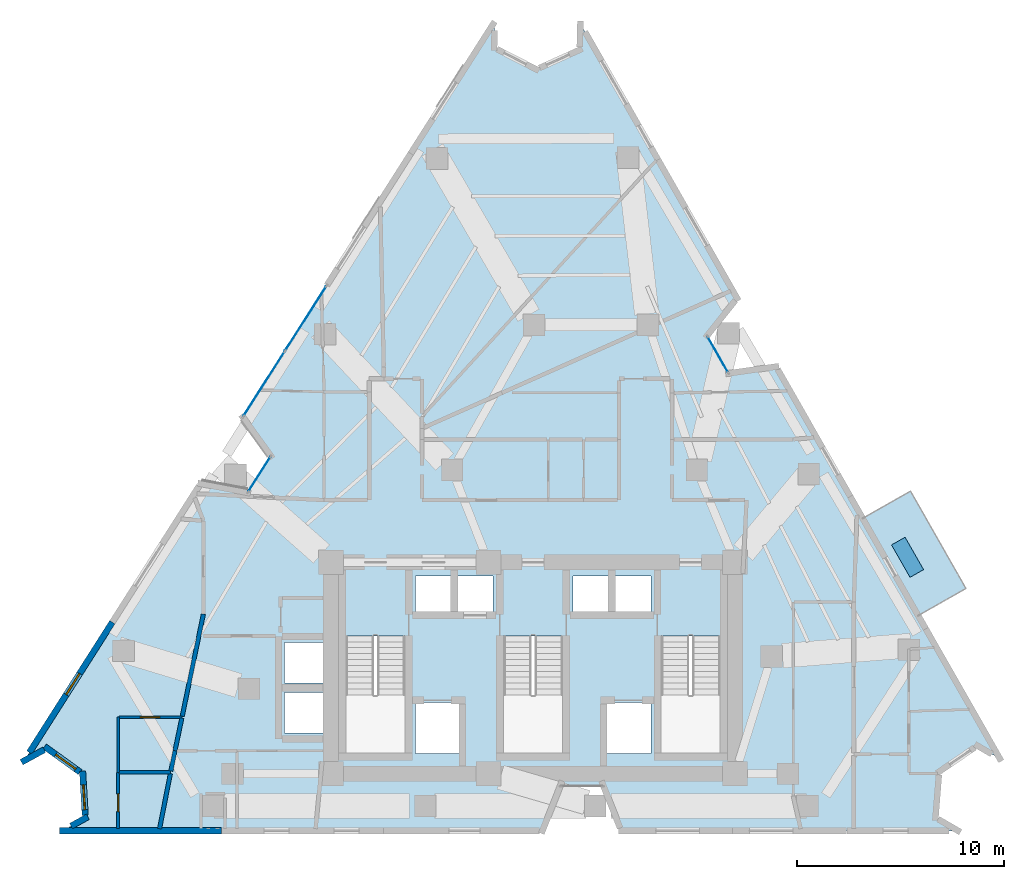
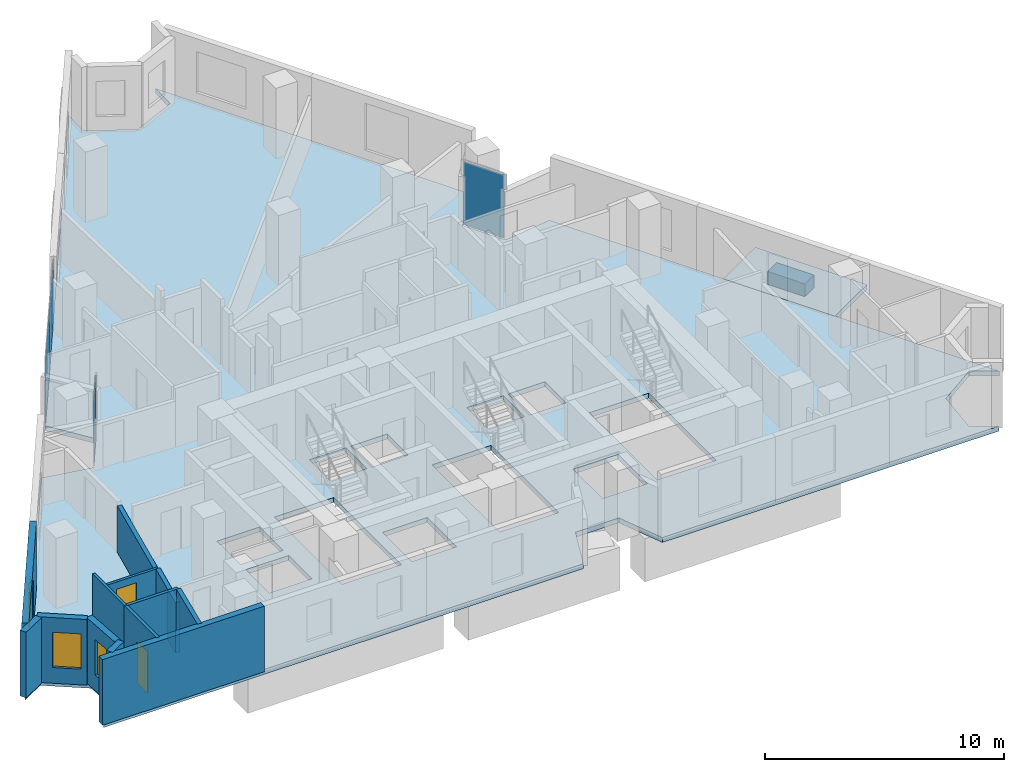
# One storey, part 5 of 12: 14 walls, 5 plates, 3 windows, 2 doors, 2 slabs, 5 openings, 3 elements without a shape of their own.
"""IFC4 building model written with IfcOpenShell, lengths in metres."""

import ifcopenshell
import ifcopenshell.guid

model = None  # the IFC model being written
_history = None  # IfcOwnerHistory: only IFC2X3 demands one
_inside = {}  # id of a spatial element -> (the spatial element, [elements in it])
_under = {}  # id of a project, library or spatial element -> (it, [spatial elements below it])
_declared = {}  # id of a project -> (the project, [libraries it declares])
_typed = {}  # id of a type object -> (the type object, [elements of that type])
_made_of = {}  # id of a material, layer set ... -> (it, [elements and type objects made of it])


def new_model(schema):
    """Start an empty IFC model of exactly this schema.

    Asked for "IFC4X3", IfcOpenShell would pick the latest addendum, in which some entities
    have other attributes; the version numbers below select the first issue.
    IFC2X3 requires an IfcOwnerHistory on every rooted entity: one is made here for all.
    """
    global model, _history
    if schema == "IFC4X3":
        model = ifcopenshell.file(schema_version=(4, 3, 0, 0))
    else:
        model = ifcopenshell.file(schema=schema)
    _inside.clear()
    _under.clear()
    _declared.clear()
    _typed.clear()
    _made_of.clear()
    _history = None
    if model.schema == "IFC2X3":
        org = make("IfcOrganization", Name="unknown")
        user = make(
            "IfcPersonAndOrganization",
            ThePerson=make("IfcPerson", FamilyName="unknown"),
            TheOrganization=org,
        )
        app = make(
            "IfcApplication",
            ApplicationDeveloper=org,
            Version="unknown",
            ApplicationFullName="unknown",
            ApplicationIdentifier="unknown",
        )
        _history = make(
            "IfcOwnerHistory",
            OwningUser=user,
            OwningApplication=app,
            ChangeAction="ADDED",
            CreationDate=0,
        )
    return model


def make(cls, **values):
    """One entity of the class cls with the attributes given. An attribute that is None is left unset."""
    return model.create_entity(
        cls, **{name: value for name, value in values.items() if value is not None}
    )


def rooted(cls, **values):
    """An entity with a GlobalId (a new one), such as an element, a storey or a relation."""
    return make(cls, GlobalId=ifcopenshell.guid.new(), OwnerHistory=_history, **values)


def si_unit(unit_type, name, prefix=None):
    """IfcSIUnit, for example si_unit("LENGTHUNIT", "METRE", prefix="MILLI")."""
    return make("IfcSIUnit", UnitType=unit_type, Prefix=prefix, Name=name)


def assignment(units):
    """IfcUnitAssignment: the units of a project."""
    return None if units is None else make("IfcUnitAssignment", Units=units)


def point(xyz):
    """IfcCartesianPoint."""
    return None if xyz is None else make("IfcCartesianPoint", Coordinates=xyz)


def direction(xyz):
    """IfcDirection."""
    return None if xyz is None else make("IfcDirection", DirectionRatios=xyz)


def frame(location, z_axis=None, x_axis=None):
    """IfcAxis2Placement3D, a coordinate frame: its origin and axes. An axis left out is left unset."""
    return make(
        "IfcAxis2Placement3D",
        Location=point(location),
        Axis=direction(z_axis),
        RefDirection=direction(x_axis),
    )


def frame_2d(location, x_axis=None):
    """IfcAxis2Placement2D, a coordinate frame in the plane: its origin and x axis."""
    return make(
        "IfcAxis2Placement2D", Location=point(location), RefDirection=direction(x_axis)
    )


def origin():
    """The frame at (0, 0, 0) with its axes left unset."""
    return frame((0.0, 0.0, 0.0))


def origin_2d():
    """The frame at (0, 0) in the plane with its x axis left unset."""
    return frame_2d((0.0, 0.0))


def place(relative_to, where):
    """IfcLocalPlacement: puts the frame where relative to a parent placement (None: the world)."""
    return make(
        "IfcLocalPlacement", PlacementRelTo=relative_to, RelativePlacement=where
    )


def context(
    kind, dimensions, precision=None, world=None, true_north=None, identifier=None
):
    """IfcGeometricRepresentationContext, for example the 3D "Model" context."""
    return make(
        "IfcGeometricRepresentationContext",
        ContextIdentifier=identifier,
        ContextType=kind,
        CoordinateSpaceDimension=dimensions,
        Precision=precision,
        WorldCoordinateSystem=world,
        TrueNorth=true_north,
    )


def subcontext(parent, identifier, kind, view, scale=None):
    """IfcGeometricRepresentationSubContext, for example "Body" below "Model"."""
    return make(
        "IfcGeometricRepresentationSubContext",
        ContextIdentifier=identifier,
        ContextType=kind,
        ParentContext=parent,
        TargetScale=scale,
        TargetView=view,
    )


def project(units=None, contexts=None):
    """IfcProject with its units and contexts."""
    return rooted(
        "IfcProject",
        Name="project",
        RepresentationContexts=contexts,
        UnitsInContext=assignment(units),
    )


def spatial(cls, under=None, at=None, **own):
    """A site, building, storey or space (cls), placed at a placement, below another one or the project."""
    s = rooted(cls, ObjectPlacement=at, **own)
    if under is not None:
        _under.setdefault(under.id(), (under, []))[1].append(s)
    return s


def polyline(points):
    """IfcPolyline through the points."""
    return make("IfcPolyline", Points=[point(p) for p in points])


def profile(cls, at=None, kind="AREA", **sizes):
    """A parametric profile (cls). Its sizes go by their IFC names, for example OverallWidth=200.0."""
    return make(cls, ProfileType=kind, Position=at, **sizes)


def rectangle(**sizes):
    """IfcRectangleProfileDef."""
    return profile("IfcRectangleProfileDef", **sizes)


def outline(outer, holes=None, kind="AREA"):
    """IfcArbitraryClosedProfileDef: a profile drawn as a closed curve; with holes, ...WithVoids."""
    if holes is None:
        return make("IfcArbitraryClosedProfileDef", ProfileType=kind, OuterCurve=outer)
    return make(
        "IfcArbitraryProfileDefWithVoids",
        ProfileType=kind,
        OuterCurve=outer,
        InnerCurves=holes,
    )


def extrude(swept, where, along, depth):
    """IfcExtrudedAreaSolid: the profile swept, set in the frame where, extruded along a direction by depth."""
    return make(
        "IfcExtrudedAreaSolid",
        SweptArea=swept,
        Position=where,
        ExtrudedDirection=direction(along),
        Depth=depth,
    )


def shape(context_of_items, identifier, shape_type, items):
    """IfcShapeRepresentation: the items that make up one representation, for example the "Body"."""
    return make(
        "IfcShapeRepresentation",
        ContextOfItems=context_of_items,
        RepresentationIdentifier=identifier,
        RepresentationType=shape_type,
        Items=items,
    )


def material(Name=None, Category=None):
    """IfcMaterial."""
    return make("IfcMaterial", Name=Name, Category=Category)


def layer(
    of_material, thickness, ventilated=None, Name=None, Category=None, Priority=None
):
    """IfcMaterialLayer: one layer of a wall or slab, of a material (None: an air gap)."""
    return make(
        "IfcMaterialLayer",
        Material=of_material,
        LayerThickness=thickness,
        IsVentilated=ventilated,
        Name=Name,
        Category=Category,
        Priority=Priority,
    )


def layer_set(layers, Name=None):
    """IfcMaterialLayerSet."""
    return make("IfcMaterialLayerSet", MaterialLayers=layers, LayerSetName=Name)


def made_of(thing, what):
    """Note that an element or type object is made of a material, layer set ...; save() writes the relation."""
    if what is not None:
        _made_of.setdefault(what.id(), (what, []))[1].append(thing)
    return thing


def type_object(cls, material=None, **own):
    """A type object (cls), such as IfcWallType, which elements share."""
    return made_of(rooted(cls, **own), material)


def element(
    cls,
    number,
    at=None,
    inside=None,
    cuts=None,
    type_object=None,
    material=None,
    context=None,
    identifier="Body",
    shape_type=None,
    held_by="IfcProductDefinitionShape",
    body=None,
    shapes=None,
    **own,
):
    """One element of the class cls, such as IfcWall. Its Tag is "e" and its number.

    at: its placement. inside: the storey or other place that contains it. cuts: it is an
    opening in that element (IfcRelVoidsElement). A single representation is given by context,
    identifier, shape_type and body (its items); several are given by shapes. held_by: the class
    of the entity that holds the representations. save() writes the other relations.
    """
    e = rooted(cls, Tag="e%d" % number, ObjectPlacement=at, **own)
    if body is not None:
        shapes = [shape(context, identifier, shape_type, body)]
    if shapes is not None:
        e.Representation = make(held_by, Representations=shapes)
    if inside is not None:
        _inside.setdefault(inside.id(), (inside, []))[1].append(e)
    if cuts is not None:
        rooted(
            "IfcRelVoidsElement", RelatingBuildingElement=cuts, RelatedOpeningElement=e
        )
    if type_object is not None:
        _typed.setdefault(type_object.id(), (type_object, []))[1].append(e)
    return made_of(e, material)


def fill(opening, filler):
    """IfcRelFillsElement: the door or window that sits in an opening."""
    return rooted(
        "IfcRelFillsElement",
        RelatingOpeningElement=opening,
        RelatedBuildingElement=filler,
    )


def aggregate(whole, parts):
    """IfcRelAggregates: a whole, such as a stair, and the parts it consists of."""
    return rooted("IfcRelAggregates", RelatingObject=whole, RelatedObjects=parts)


def save(model, path):
    """Write the relations noted so far, then the file.

    IfcRelAggregates (storeys below a building ...), IfcRelContainedInSpatialStructure (elements
    in a storey), IfcRelDefinesByType, IfcRelAssociatesMaterial and IfcRelDeclares: one each for
    every whole, place, type object, material and project.
    """
    for whole, parts in _under.values():
        aggregate(whole, parts)
    for where, things in _inside.values():
        rooted(
            "IfcRelContainedInSpatialStructure",
            RelatedElements=things,
            RelatingStructure=where,
        )
    for kind, things in _typed.values():
        rooted("IfcRelDefinesByType", RelatedObjects=things, RelatingType=kind)
    for what, things in _made_of.values():
        rooted("IfcRelAssociatesMaterial", RelatedObjects=things, RelatingMaterial=what)
    for by, libraries in _declared.values():
        rooted("IfcRelDeclares", RelatingContext=by, RelatedDefinitions=libraries)
    model.write(path)


model = new_model("IFC4")

# Units and contexts
model_context = context("Model", 3, precision=1e-05, world=origin(), true_north=direction((0.0, 1.0)))
body_context = subcontext(model_context, "Body", "Model", "MODEL_VIEW")
ifc_project = project(units=[si_unit("LENGTHUNIT", "METRE"), si_unit("AREAUNIT", "SQUARE_METRE"), si_unit("VOLUMEUNIT", "CUBIC_METRE"), si_unit("PLANEANGLEUNIT", "RADIAN"), si_unit("MASSUNIT", "GRAM", prefix="KILO")], contexts=[model_context])

# Site, building, storey
site_placement = place(None, origin())
site = spatial("IfcSite", under=ifc_project, at=site_placement, CompositionType="ELEMENT")
building_placement = place(site_placement, origin())
building = spatial("IfcBuilding", under=site, at=building_placement, Name="Almagre Mirador Tower", CompositionType="ELEMENT")
storey_placement = place(building_placement, frame((0.0, 0.0, 132.0)))
storey = spatial("IfcBuildingStorey", under=building, at=storey_placement, Name="L33", CompositionType="ELEMENT", Elevation=132.0)

# Curtain wall, plate
ifc_material_1 = material(Name="Black anodized aluminium", Category="aluminium")
ifc_layer_1 = layer(ifc_material_1, 0.169921875)
ifc_layer_set_1 = layer_set([ifc_layer_1], Name="Black anodized aluminium")
curtain_wall_type_1 = type_object("IfcCurtainWallType", Name="CW-CRS-SYS", PredefinedType="NOTDEFINED", material=ifc_layer_set_1)
curtain_wall_1_placement = place(storey_placement, origin())
curtain_wall_1 = element("IfcCurtainWall", 1, at=curtain_wall_1_placement, inside=storey, type_object=curtain_wall_type_1, Name="L33 vertical crease curtain wall 01", PredefinedType="NOTDEFINED")
ifc_material_2 = material(Name="Dark solar-control laminated hurricane glass", Category="glass")
ifc_layer_2 = layer(ifc_material_2, 0.028076171875)
ifc_layer_set_2 = layer_set([ifc_layer_2], Name="Dark solar-control laminated hurricane glass")
plate_type_1 = type_object("IfcPlateType", Name="PLT-GLZ-28", PredefinedType="CURTAIN_PANEL", material=ifc_layer_set_2)
plate_1_placement = place(storey_placement, frame((24.097412109375, 18.992919921875, 0.06005859375), z_axis=(0.0, 0.0, 1.0), x_axis=(0.537463753664, 0.843286851254, 0.0)))
plate_1 = element("IfcPlate", 2, at=plate_1_placement, type_object=plate_type_1, Name="CW-4 panel 1.1", PredefinedType="CURTAIN_PANEL", context=body_context, shape_type="SweptSolid", body=[
    extrude(rectangle(XDim=1.969482421875, YDim=0.028076171875, at=origin_2d()), origin(), (0.0, 0.0, 1.0), 3.22998046875),
])
aggregate(curtain_wall_1, [plate_1])

curtain_wall_2_placement = place(storey_placement, origin())
curtain_wall_2 = element("IfcCurtainWall", 3, at=curtain_wall_2_placement, inside=storey, type_object=curtain_wall_type_1, Name="L33 vertical crease curtain wall 03", PredefinedType="NOTDEFINED")
plate_2_placement = place(storey_placement, frame((46.214111328125, 24.7705078125, 0.06005859375), z_axis=(0.0, 0.0, 1.0), x_axis=(0.495726635757, -0.868478613785, 0.0)))
plate_2 = element("IfcPlate", 4, at=plate_2_placement, type_object=plate_type_1, Name="CW-4 panel 1.1", PredefinedType="CURTAIN_PANEL", context=body_context, shape_type="SweptSolid", body=[
    extrude(rectangle(XDim=1.969970703125, YDim=0.028076171875, at=origin_2d()), origin(), (0.0, 0.0, 1.0), 3.22998046875),
])
aggregate(curtain_wall_2, [plate_2])

# Curtain wall, plates
ifc_material_3 = material(Name="Black anodized aluminium", Category="aluminium")
ifc_layer_3 = layer(ifc_material_3, 0.199951171875)
ifc_layer_set_3 = layer_set([ifc_layer_3], Name="Black anodized aluminium")
curtain_wall_type_2 = type_object("IfcCurtainWallType", Name="CW-RES-H-SYS", PredefinedType="NOTDEFINED", material=ifc_layer_set_3)
curtain_wall_3_placement = place(storey_placement, origin())
curtain_wall_3 = element("IfcCurtainWall", 5, at=curtain_wall_3_placement, inside=storey, type_object=curtain_wall_type_2, Name="L33 curtain wall run 02", PredefinedType="NOTDEFINED")
ifc_material_4 = material(Name="Dark solar-control laminated hurricane glass", Category="glass")
ifc_layer_4 = layer(ifc_material_4, 0.035888671875)
ifc_layer_set_4 = layer_set([ifc_layer_4], Name="Dark solar-control laminated hurricane glass")
plate_type_2 = type_object("IfcPlateType", Name="PLT-GLZ-36", PredefinedType="CURTAIN_PANEL", material=ifc_layer_set_4)
plate_3_placement = place(storey_placement, frame((24.324951171875, 23.353271484375, 0.06494140625), z_axis=(0.0, 0.0, 1.0), x_axis=(0.537116666719, 0.843507964593, 0.0)))
plate_3 = element("IfcPlate", 6, at=plate_3_placement, type_object=plate_type_2, Name="CW-3 panel 1.1", PredefinedType="CURTAIN_PANEL", context=body_context, shape_type="SweptSolid", body=[
    extrude(rectangle(XDim=3.671630859375, YDim=0.035888671875, at=origin_2d()), origin(), (0.0, 0.0, 1.0), 3.219970703125),
])
plate_4_placement = place(storey_placement, frame((26.33203125, 26.50537109375, 0.06494140625), z_axis=(0.0, 0.0, 1.0), x_axis=(0.537116666719, 0.843507964593, 0.0)))
plate_4 = element("IfcPlate", 7, at=plate_4_placement, type_object=plate_type_2, Name="CW-3 panel 2.1", PredefinedType="CURTAIN_PANEL", context=body_context, shape_type="SweptSolid", body=[
    extrude(rectangle(XDim=3.671630859375, YDim=0.035888671875, at=origin_2d()), origin(), (0.0, 0.0, 1.0), 3.219970703125),
])
aggregate(curtain_wall_3, [plate_3, plate_4])

# Plate
ifc_material_5 = material(Name="Precast concrete C50/60", Category="concrete")
ifc_layer_5 = layer(ifc_material_5, 0.64990234375)
ifc_layer_set_5 = layer_set([ifc_layer_5], Name="Precast concrete C50/60")
plate_type_3 = type_object("IfcPlateType", Name="PLT-PLANTER-1800", PredefinedType="USERDEFINED", material=ifc_layer_set_5)
plate_5_placement = place(storey_placement, frame((55.364990234375, 14.990966796875, 0.0), z_axis=(0.0, 0.0, 1.0), x_axis=(-0.495701216789, 0.86849312241, 0.0)))
element("IfcPlate", 8, at=plate_5_placement, inside=storey, type_object=plate_type_3, Name="L33 east balcony structural tree planter 2", ObjectType="PLANTER", PredefinedType="USERDEFINED", context=body_context, shape_type="SweptSolid", body=[
    extrude(rectangle(XDim=1.800048828125, YDim=0.75, at=origin_2d()), origin(), (0.0, 0.0, 1.0), 0.64990234375),
])

# Slabs
ifc_material_6 = material(Name="Concrete C45/55", Category="concrete")
ifc_layer_6 = layer(ifc_material_6, 0.239990234375)
ifc_layer_set_6 = layer_set([ifc_layer_6], Name="Concrete C45/55")
slab_type_1 = type_object("IfcSlabType", Name="SLB-BAL-240", PredefinedType="USERDEFINED", material=ifc_layer_set_6)
slab_1_placement = place(storey_placement, frame((0.0, 0.0, -0.239990234375)))
element("IfcSlab", 9, at=slab_1_placement, inside=storey, type_object=slab_type_1, Name="L33 east planted tree balcony 2", ObjectType="BALCONY", PredefinedType="USERDEFINED", context=body_context, shape_type="SweptSolid", body=[
    extrude(outline(polyline([(55.861083984375, 12.1650390625), (53.18505859375, 16.85498046875), (55.5029296875, 18.178955078125), (58.179931640625, 13.489013671875), (55.861083984375, 12.1650390625)])), origin(), (0.0, 0.0, 1.0), 0.239990234375),
])
ifc_material_7 = material(Name="Concrete C45/55", Category="concrete")
ifc_layer_7 = layer(ifc_material_7, 0.25)
ifc_layer_set_7 = layer_set([ifc_layer_7], Name="Concrete C45/55")
slab_type_2 = type_object("IfcSlabType", Name="SLB-FLR-250", PredefinedType="FLOOR", material=ifc_layer_set_7)
slab_2_placement = place(storey_placement, frame((0.0, 0.0, -0.25)))
element("IfcSlab", 10, at=slab_2_placement, inside=storey, type_object=slab_type_2, Name="L33 structural floor slab", PredefinedType="FLOOR", context=body_context, shape_type="SweptSolid", body=[
    extrude(outline(polyline([(12.7490234375, 5.174072265625), (13.85302734375, 5.780029296875), (15.580078125, 4.532958984375), (15.705078125, 2.406005859375), (14.60009765625, 1.800048828125), (37.756103515625, 1.800048828125), (38.611083984375, 3.949951171875), (40.700927734375, 3.949951171875), (41.555908203125, 1.800048828125), (57.800048828125, 1.800048828125), (56.7099609375, 2.43310546875), (56.887939453125, 4.652099609375), (58.72802734375, 5.906982421875), (59.81689453125, 5.27392578125), (49.02294921875, 24.18603515625), (46.73193359375, 23.863037109375), (45.696044921875, 25.677978515625), (47.138916015625, 27.486083984375), (39.5830078125, 40.72607421875), (39.552001953125, 39.466064453125), (37.462890625, 38.52197265625), (35.4208984375, 39.56591796875), (35.450927734375, 40.825927734375), (23.303955078125, 21.75), (24.658935546875, 19.8740234375), (23.535888671875, 18.112060546875), (21.262939453125, 18.544921875), (12.7490234375, 5.174072265625)]), holes=[polyline([(43.47509765625, 5.550048828125), (43.47509765625, 11.196044921875), (46.324951171875, 11.196044921875), (46.324951171875, 5.550048828125), (43.47509765625, 5.550048828125)]), polyline([(40.820068359375, 5.52001953125), (40.820068359375, 7.97998046875), (42.97998046875, 7.97998046875), (42.97998046875, 5.52001953125), (40.820068359375, 5.52001953125)]), polyline([(41.219970703125, 12.320068359375), (41.219970703125, 14.080078125), (42.97998046875, 14.080078125), (42.97998046875, 12.320068359375), (41.219970703125, 12.320068359375)]), polyline([(39.219970703125, 12.320068359375), (39.219970703125, 14.080078125), (40.97998046875, 14.080078125), (40.97998046875, 12.320068359375), (39.219970703125, 12.320068359375)]), polyline([(35.875, 11.196044921875), (38.72509765625, 11.196044921875), (38.72509765625, 5.550048828125), (35.875, 5.550048828125), (35.875, 11.196044921875)]), polyline([(35.3798828125, 12.320068359375), (33.6201171875, 12.320068359375), (33.6201171875, 14.080078125), (35.3798828125, 14.080078125), (35.3798828125, 12.320068359375)]), polyline([(33.780029296875, 5.52001953125), (31.6201171875, 5.52001953125), (31.6201171875, 7.97998046875), (33.780029296875, 7.97998046875), (33.780029296875, 5.52001953125)]), polyline([(31.6201171875, 12.320068359375), (31.6201171875, 14.080078125), (33.3798828125, 14.080078125), (33.3798828125, 12.320068359375), (31.6201171875, 12.320068359375)]), polyline([(28.27490234375, 5.550048828125), (28.27490234375, 11.196044921875), (31.125, 11.196044921875), (31.125, 5.550048828125), (28.27490234375, 5.550048828125)]), polyline([(25.320068359375, 8.919921875), (25.320068359375, 10.8798828125), (27.3798828125, 10.8798828125), (27.3798828125, 8.919921875), (25.320068359375, 8.919921875)]), polyline([(27.3798828125, 6.52001953125), (25.320068359375, 6.52001953125), (25.320068359375, 8.47998046875), (27.3798828125, 8.47998046875), (27.3798828125, 6.52001953125)])]), origin(), (0.0, 0.0, 1.0), 0.25),
])

# Walls
ifc_material_8 = material(Name="Precast concrete C50/60", Category="concrete")
ifc_layer_8 = layer(ifc_material_8, 0.300048828125)
ifc_layer_set_8 = layer_set([ifc_layer_8], Name="Precast concrete C50/60")
wall_type_1 = type_object("IfcWallType", Name="WAL-EXT-300", PredefinedType="SOLIDWALL", material=ifc_layer_set_8)
wall_1_placement = place(storey_placement, frame((22.27197265625, 1.800048828125, 0.0), z_axis=(0.0, 0.0, 1.0), x_axis=(-1.0, 0.0, 0.0)))
element("IfcWall", 11, at=wall_1_placement, inside=storey, type_object=wall_type_1, Name="L33 expressed almagre precast frame wall 27", PredefinedType="SOLIDWALL", context=body_context, shape_type="SweptSolid", body=[
    extrude(rectangle(XDim=7.81201171875, YDim=0.300048828125, at=frame_2d((3.906005859375, 0.0))), origin(), (0.0, 0.0, 1.0), 3.35009765625),
])
wall_2_placement = place(storey_placement, frame((15.016357421875, 2.0283203125, 0.0), z_axis=(0.0, 0.0, 1.0), x_axis=(0.876794471231, 0.48086531921, 0.0)))
element("IfcWall", 12, at=wall_2_placement, inside=storey, type_object=wall_type_1, Name="L33 expressed almagre precast frame wall 28", PredefinedType="SOLIDWALL", context=body_context, shape_type="SweptSolid", body=[
    extrude(rectangle(XDim=0.925537109375, YDim=0.300048828125, at=frame_2d((0.462890625, 0.0))), origin(), (0.0, 0.0, 1.0), 3.35009765625),
])

# Wall, opening, window
wall_3_placement = place(storey_placement, frame((15.696533203125, 2.55078125, 0.0), z_axis=(0.0, 0.0, 1.0), x_axis=(-0.058688358982, 0.99827635278, 0.0)))
wall_3 = element("IfcWall", 13, at=wall_3_placement, inside=storey, type_object=wall_type_1, Name="L33 expressed almagre precast frame wall 29", PredefinedType="SOLIDWALL", context=body_context, shape_type="SweptSolid", body=[
    extrude(rectangle(XDim=2.125732421875, YDim=0.300048828125, at=frame_2d((1.06298828125, 0.0))), origin(), (0.0, 0.0, 1.0), 3.35009765625),
])
opening_1_placement = place(wall_3_placement, frame((0.264892578125, 0.0, 0.800048828125)))
opening_1 = element("IfcOpeningElement", 14, at=opening_1_placement, cuts=wall_3, Name="Opening WN-04", PredefinedType="OPENING", context=body_context, shape_type="SweptSolid", body=[
    extrude(rectangle(XDim=1.199951171875, YDim=1.800048828125, at=frame_2d((0.60009765625, 0.89990234375))), frame((0.0, 0.159902, 0.0), z_axis=(0.0, -1.0, 0.0), x_axis=(1.0, 0.0, 0.0)), (0.0, 0.0, 1.0), 0.320049),
])
ifc_material_9 = material(Name="Dark solar-control laminated hurricane glass", Category="glass")
window_type = type_object("IfcWindowType", Name="WIN-1200X1800", PartitioningType="SINGLE_PANEL", PredefinedType="WINDOW", material=ifc_material_9)
window_1_placement = place(opening_1_placement, origin())
window_1 = element("IfcWindow", 15, at=window_1_placement, inside=storey, type_object=window_type, Name="L33 recessed hurricane window L33-UA-ST", OverallHeight=1.800048828125, OverallWidth=1.199951171875, PartitioningType="SINGLE_PANEL", PredefinedType="WINDOW", context=body_context, shape_type="SweptSolid", body=[
    extrude(rectangle(XDim=1.199951171875, YDim=1.800048828125, at=frame_2d((0.60009765625, 0.89990234375))), frame((0.0, 0.030029296875, 0.0), z_axis=(0.0, -1.0, 0.0), x_axis=(1.0, 0.0, 0.0)), (0.0, 0.0, 1.0), 0.06005859375),
])
fill(opening_1, window_1)

wall_4_placement = place(storey_placement, frame((15.4501953125, 4.626708984375, 0.0), z_axis=(0.0, 0.0, 1.0), x_axis=(-0.810712787228, 0.585444084969, 0.0)))
wall_4 = element("IfcWall", 16, at=wall_4_placement, inside=storey, type_object=wall_type_1, Name="L33 expressed almagre precast frame wall 30", PredefinedType="SOLIDWALL", context=body_context, shape_type="SweptSolid", body=[
    extrude(rectangle(XDim=2.110107421875, YDim=0.300048828125, at=frame_2d((1.05517578125, 0.0))), origin(), (0.0, 0.0, 1.0), 3.35009765625),
])
opening_2_placement = place(wall_4_placement, frame((0.25, 0.0, 0.800048828125)))
opening_2 = element("IfcOpeningElement", 17, at=opening_2_placement, cuts=wall_4, Name="Opening WN-04", PredefinedType="OPENING", context=body_context, shape_type="SweptSolid", body=[
    extrude(rectangle(XDim=1.199951171875, YDim=1.800048828125, at=frame_2d((0.60009765625, 0.89990234375))), frame((0.0, 0.159902, 0.0), z_axis=(0.0, -1.0, 0.0), x_axis=(1.0, 0.0, 0.0)), (0.0, 0.0, 1.0), 0.320049),
])
window_2_placement = place(opening_2_placement, origin())
window_2 = element("IfcWindow", 18, at=window_2_placement, inside=storey, type_object=window_type, Name="L33 recessed hurricane window L33-UA-ST", OverallHeight=1.800048828125, OverallWidth=1.199951171875, PartitioningType="SINGLE_PANEL", PredefinedType="WINDOW", context=body_context, shape_type="SweptSolid", body=[
    extrude(rectangle(XDim=1.199951171875, YDim=1.800048828125, at=frame_2d((0.60009765625, 0.89990234375))), frame((0.0, 0.030029296875, 0.0), z_axis=(0.0, -1.0, 0.0), x_axis=(1.0, 0.0, 0.0)), (0.0, 0.0, 1.0), 0.06005859375),
])
fill(opening_2, window_2)

# Wall
wall_5_placement = place(storey_placement, frame((13.725830078125, 5.710205078125, 0.0), z_axis=(0.0, 0.0, 1.0), x_axis=(-0.876642942611, -0.481141508467, 0.0)))
element("IfcWall", 19, at=wall_5_placement, inside=storey, type_object=wall_type_1, Name="L33 expressed almagre precast frame wall 31", PredefinedType="SOLIDWALL", context=body_context, shape_type="SweptSolid", body=[
    extrude(rectangle(XDim=1.25439453125, YDim=0.300048828125, at=frame_2d((0.627197265625, 0.0))), origin(), (0.0, 0.0, 1.0), 3.35009765625),
])

# Wall, opening, window
wall_6_placement = place(storey_placement, frame((13.004150390625, 5.57470703125, 0.0), z_axis=(0.0, 0.0, 1.0), x_axis=(0.5371108129, 0.843511692074, 0.0)))
wall_6 = element("IfcWall", 20, at=wall_6_placement, inside=storey, type_object=wall_type_1, Name="L33 expressed almagre precast frame wall 32", PredefinedType="SOLIDWALL", context=body_context, shape_type="SweptSolid", body=[
    extrude(rectangle(XDim=7.450927734375, YDim=0.300048828125, at=frame_2d((3.7255859375, 0.0))), origin(), (0.0, 0.0, 1.0), 3.35009765625),
])
opening_3_placement = place(wall_6_placement, frame((3.31005859375, 0.0, 0.800048828125)))
opening_3 = element("IfcOpeningElement", 21, at=opening_3_placement, cuts=wall_6, Name="Opening WN-04", PredefinedType="OPENING", context=body_context, shape_type="SweptSolid", body=[
    extrude(rectangle(XDim=1.199951171875, YDim=1.800048828125, at=frame_2d((0.60009765625, 0.89990234375))), frame((0.0, 0.159902, 0.0), z_axis=(0.0, -1.0, 0.0), x_axis=(1.0, 0.0, 0.0)), (0.0, 0.0, 1.0), 0.320049),
])
window_3_placement = place(opening_3_placement, origin())
window_3 = element("IfcWindow", 22, at=window_3_placement, inside=storey, type_object=window_type, Name="L33 recessed hurricane window L33-UA-ST", OverallHeight=1.800048828125, OverallWidth=1.199951171875, PartitioningType="SINGLE_PANEL", PredefinedType="WINDOW", context=body_context, shape_type="SweptSolid", body=[
    extrude(rectangle(XDim=1.199951171875, YDim=1.800048828125, at=frame_2d((0.60009765625, 0.89990234375))), frame((0.0, 0.030029296875, 0.0), z_axis=(0.0, -1.0, 0.0), x_axis=(1.0, 0.0, 0.0)), (0.0, 0.0, 1.0), 0.06005859375),
])
fill(opening_3, window_3)

# Wall
ifc_material_10 = material(Name="Gypsum acoustic stud partition", Category="other")
ifc_layer_9 = layer(ifc_material_10, 0.125)
ifc_layer_set_9 = layer_set([ifc_layer_9], Name="Gypsum acoustic stud partition")
wall_type_2 = type_object("IfcWallType", Name="WAL-PRT-125-UTL", PredefinedType="PARTITIONING", material=ifc_layer_set_9)
wall_7_placement = place(storey_placement, frame((17.2900390625, 4.6201171875, 0.0), z_axis=(0.0, 0.0, 1.0), x_axis=(0.0, 1.0, 0.0)))
element("IfcWall", 23, at=wall_7_placement, inside=storey, type_object=wall_type_2, Name="L33 interior partition 030", PredefinedType="PARTITIONING", context=body_context, shape_type="SweptSolid", body=[
    extrude(rectangle(XDim=2.659912109375, YDim=0.125, at=frame_2d((1.330078125, 0.0))), origin(), (0.0, 0.0, 1.0), 3.35009765625),
])

# Wall, opening, door
wall_8_placement = place(storey_placement, frame((17.33740234375, 7.280029296875, 0.0), z_axis=(0.0, 0.0, 1.0), x_axis=(1.0, 0.0, 0.0)))
wall_8 = element("IfcWall", 24, at=wall_8_placement, inside=storey, type_object=wall_type_2, Name="L33 interior partition 031", PredefinedType="PARTITIONING", context=body_context, shape_type="SweptSolid", body=[
    extrude(rectangle(XDim=3.03271484375, YDim=0.125, at=frame_2d((1.516357421875, 0.0))), origin(), (0.0, 0.0, 1.0), 2.570068359375),
])
opening_4_placement = place(wall_8_placement, frame((1.017578125, 0.0, 0.0)))
opening_4 = element("IfcOpeningElement", 25, at=opening_4_placement, cuts=wall_8, Name="Opening UD-01", PredefinedType="OPENING", context=body_context, shape_type="SweptSolid", body=[
    extrude(rectangle(XDim=0.949951171875, YDim=2.199951171875, at=frame_2d((0.47509765625, 1.10009765625))), frame((0.0, 0.0725, 0.0), z_axis=(0.0, -1.0, 0.0), x_axis=(1.0, 0.0, 0.0)), (0.0, 0.0, 1.0), 0.145),
])
ifc_material_11 = material(Name="Solid American walnut timber", Category="wood")
door_type_1 = type_object("IfcDoorType", Name="DOR-UNR-950X2200", OperationType="NOTDEFINED", PredefinedType="DOOR", material=ifc_material_11)
door_1_placement = place(opening_4_placement, origin())
door_1 = element("IfcDoor", 26, at=door_1_placement, inside=storey, type_object=door_type_1, Name="DR-1073 L33 interior door L33-UA-ST to L33-UA-KT", OperationType="SINGLE_SWING_LEFT", OverallHeight=2.199951171875, OverallWidth=0.949951171875, PredefinedType="DOOR", context=body_context, shape_type="SweptSolid", body=[
    extrude(rectangle(XDim=0.949951171875, YDim=2.199951171875, at=frame_2d((0.47509765625, 1.10009765625))), frame((0.0, 0.02490234375, 0.0), z_axis=(0.0, -1.0, 0.0), x_axis=(1.0, 0.0, 0.0)), (0.0, 0.0, 1.0), 0.050048828125),
])
fill(opening_4, door_1)

ifc_material_12 = material(Name="Gypsum acoustic stud partition", Category="other")
ifc_layer_10 = layer(ifc_material_12, 0.14990234375)
ifc_layer_set_10 = layer_set([ifc_layer_10], Name="Gypsum acoustic stud partition")
wall_type_3 = type_object("IfcWallType", Name="WAL-PRT-150-STD", PredefinedType="PARTITIONING", material=ifc_layer_set_10)
wall_9_placement = place(storey_placement, frame((17.2900390625, 1.89990234375, 0.0), z_axis=(0.0, 0.0, 1.0), x_axis=(0.0, 1.0, 0.0)))
wall_9 = element("IfcWall", 27, at=wall_9_placement, inside=storey, type_object=wall_type_3, Name="L33 interior partition 032", PredefinedType="PARTITIONING", context=body_context, shape_type="SweptSolid", body=[
    extrude(rectangle(XDim=2.72021484375, YDim=0.14990234375, at=frame_2d((1.360107421875, 0.0))), origin(), (0.0, 0.0, 1.0), 3.35009765625),
])
opening_5_placement = place(wall_9_placement, frame((0.82861328125, 0.0, 0.0)))
opening_5 = element("IfcOpeningElement", 28, at=opening_5_placement, cuts=wall_9, Name="Opening UD-04", PredefinedType="OPENING", context=body_context, shape_type="SweptSolid", body=[
    extrude(rectangle(XDim=0.85009765625, YDim=2.10009765625, at=frame_2d((0.425048828125, 1.050048828125))), frame((0.0, 0.084951, 0.0), z_axis=(0.0, -1.0, 0.0), x_axis=(1.0, 0.0, 0.0)), (0.0, 0.0, 1.0), 0.169902),
])
ifc_material_13 = material(Name="Moisture-resistant oak timber", Category="wood")
door_type_2 = type_object("IfcDoorType", Name="DOR-UNR-850X2100", OperationType="NOTDEFINED", PredefinedType="DOOR", material=ifc_material_13)
door_2_placement = place(opening_5_placement, origin())
door_2 = element("IfcDoor", 29, at=door_2_placement, inside=storey, type_object=door_type_2, Name="DR-1074 L33 interior door L33-UA-ST to L33-UA-BT", OperationType="SINGLE_SWING_RIGHT", OverallHeight=2.10009765625, OverallWidth=0.85009765625, PredefinedType="DOOR", context=body_context, shape_type="SweptSolid", body=[
    extrude(rectangle(XDim=0.85009765625, YDim=2.10009765625, at=frame_2d((0.425048828125, 1.050048828125))), frame((0.0, 0.02490234375, 0.0), z_axis=(0.0, -1.0, 0.0), x_axis=(1.0, 0.0, 0.0)), (0.0, 0.0, 1.0), 0.050048828125),
])
fill(opening_5, door_2)

# Walls
wall_10_placement = place(storey_placement, frame((17.33740234375, 4.6201171875, 0.0), z_axis=(0.0, 0.0, 1.0), x_axis=(1.0, 0.0, 0.0)))
element("IfcWall", 30, at=wall_10_placement, inside=storey, type_object=wall_type_3, Name="L33 interior partition 035", PredefinedType="PARTITIONING", context=body_context, shape_type="SweptSolid", body=[
    extrude(rectangle(XDim=2.482666015625, YDim=0.14990234375, at=frame_2d((1.2412109375, 0.0))), origin(), (0.0, 0.0, 1.0), 3.35009765625),
])
ifc_material_14 = material(Name="Gypsum acoustic stud partition", Category="other")
ifc_layer_11 = layer(ifc_material_14, 0.199951171875)
ifc_layer_set_11 = layer_set([ifc_layer_11], Name="Gypsum acoustic stud partition")
wall_type_4 = type_object("IfcWallType", Name="WAL-PRT-200-EI60", PredefinedType="PARTITIONING", material=ifc_layer_set_11)
wall_11_placement = place(storey_placement, frame((20.379638671875, 7.326416015625, 0.0), z_axis=(0.0, 0.0, 1.0), x_axis=(0.202909045779, 0.979197589428, 0.0)))
element("IfcWall", 31, at=wall_11_placement, inside=storey, type_object=wall_type_4, Name="L33 interior partition 033", PredefinedType="PARTITIONING", context=body_context, shape_type="SweptSolid", body=[
    extrude(rectangle(XDim=5.028076171875, YDim=0.199951171875, at=frame_2d((2.51416015625, 0.0))), origin(), (0.0, 0.0, 1.0), 2.3720703125),
])
wall_12_placement = place(storey_placement, frame((20.030029296875, 5.659912109375, 0.0), z_axis=(0.0, 0.0, 1.0), x_axis=(0.205306341655, 0.978697760331, 0.0)))
element("IfcWall", 32, at=wall_12_placement, inside=storey, type_object=wall_type_4, Name="L33 interior partition 036", PredefinedType="PARTITIONING", context=body_context, shape_type="SweptSolid", body=[
    extrude(rectangle(XDim=1.607666015625, YDim=0.199951171875, at=frame_2d((0.8037109375, 0.0))), origin(), (0.0, 0.0, 1.0), 2.570068359375),
])
wall_13_placement = place(storey_placement, frame((19.831787109375, 4.6787109375, 0.0), z_axis=(0.0, 0.0, 1.0), x_axis=(0.198038737433, 0.980194194268, 0.0)))
element("IfcWall", 33, at=wall_13_placement, inside=storey, type_object=wall_type_4, Name="L33 interior partition 037", PredefinedType="PARTITIONING", context=body_context, shape_type="SweptSolid", body=[
    extrude(rectangle(XDim=1.0009765625, YDim=0.199951171875, at=frame_2d((0.50048828125, 0.0))), origin(), (0.0, 0.0, 1.0), 2.570068359375),
])
wall_14_placement = place(storey_placement, frame((19.285888671875, 1.89697265625, 0.0), z_axis=(0.0, 0.0, 1.0), x_axis=(0.192448421269, 0.981307090136, 0.0)))
element("IfcWall", 34, at=wall_14_placement, inside=storey, type_object=wall_type_4, Name="L33 interior partition 038", PredefinedType="PARTITIONING", context=body_context, shape_type="SweptSolid", body=[
    extrude(rectangle(XDim=2.71484375, YDim=0.199951171875, at=frame_2d((1.357421875, 0.0))), origin(), (0.0, 0.0, 1.0), 3.35009765625),
])

save(model, "model.ifc")
